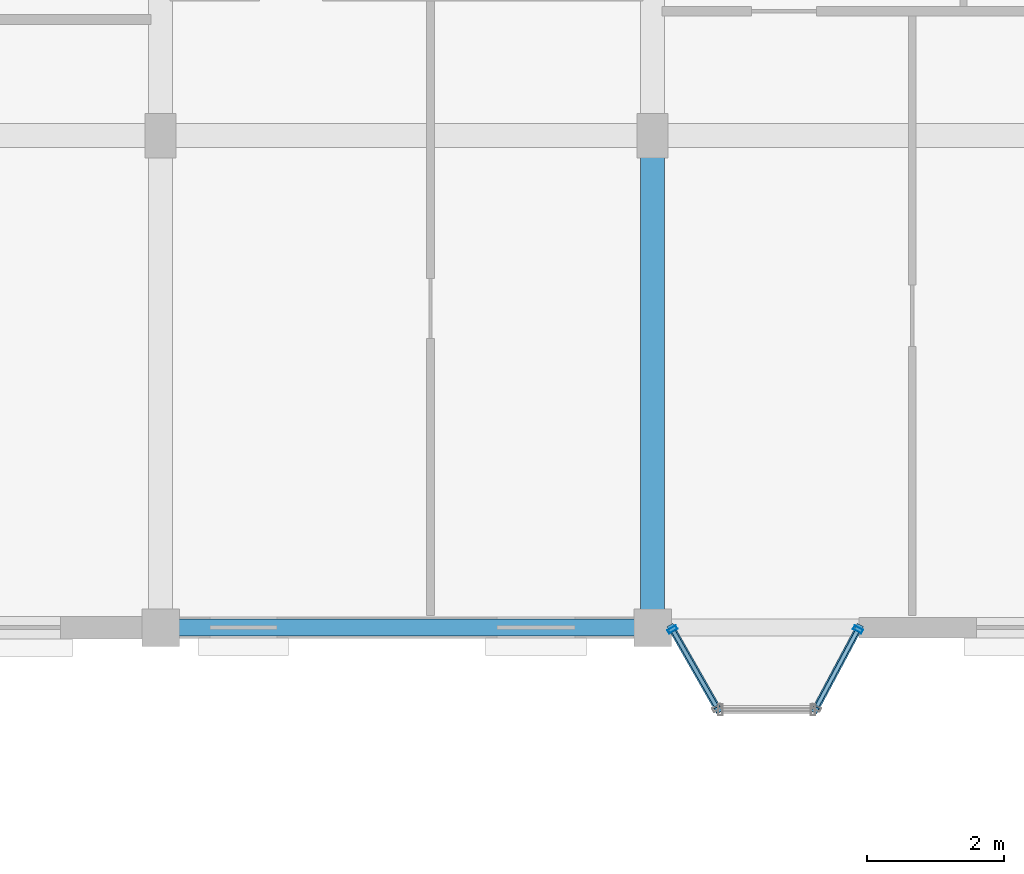
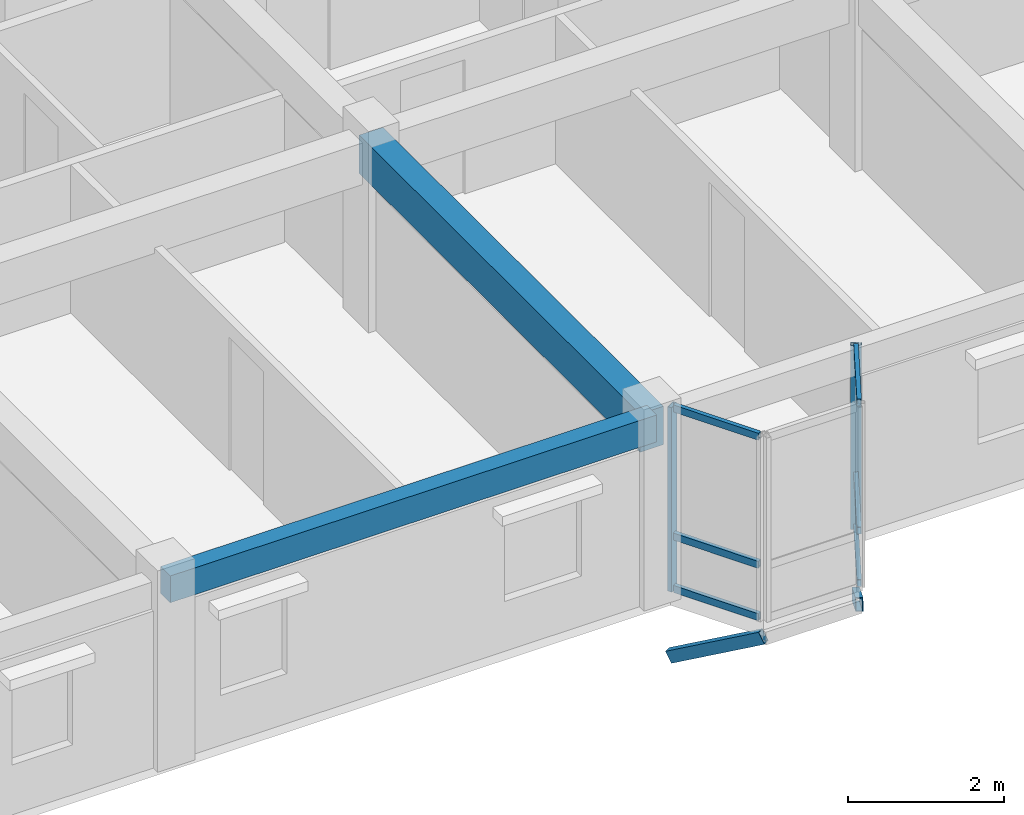
# One storey, part 40 of 79: 10 members, 2 beams, 2 elements without a shape of their own.
"""IFC4 building model written with IfcOpenShell, lengths in metres."""

from ifc_helpers import new_model, si_unit, direction, frame, origin, origin_2d, place, context, subcontext, project, spatial, rectangle, hollow_rectangle, extrude, material, layer, layer_set, material_profile, profile_set, type_object, element, aggregate, save


model = new_model("IFC4")

# Units and contexts
model_context = context("Model", 3, precision=1e-05, world=origin(), true_north=direction((0.0, 1.0)))
body_context = subcontext(model_context, "Body", "Model", "MODEL_VIEW")
ifc_project = project(units=[si_unit("LENGTHUNIT", "METRE"), si_unit("AREAUNIT", "SQUARE_METRE"), si_unit("VOLUMEUNIT", "CUBIC_METRE"), si_unit("PLANEANGLEUNIT", "RADIAN"), si_unit("MASSUNIT", "GRAM", prefix="KILO"), si_unit("THERMODYNAMICTEMPERATUREUNIT", "KELVIN"), si_unit("POWERUNIT", "WATT")], contexts=[model_context])

# Site, building, storey
site_placement = place(None, origin())
site = spatial("IfcSite", under=ifc_project, at=site_placement, CompositionType="ELEMENT")
building_placement = place(site_placement, origin())
building = spatial("IfcBuilding", under=site, at=building_placement, Name="Tavuni Mirador Residences", CompositionType="ELEMENT")
storey_placement = place(building_placement, frame((0.0, 0.0, 13.949951171875)))
storey = spatial("IfcBuildingStorey", under=building, at=storey_placement, Name="L04", CompositionType="ELEMENT", Elevation=13.949951171875)

# Beams
ifc_material_1 = material(Name="Precast concrete C40/50", Category="concrete")
ifc_material_profile_1 = material_profile(ifc_material_1, rectangle(XDim=0.35009765625, YDim=0.60009765625, at=origin_2d()), Name="PC 350x600", Category="concrete")
ifc_profile_set_1 = profile_set([ifc_material_profile_1], Name="Precast concrete C40/50")
beam_type_1 = type_object("IfcBeamType", Name="BT-B600", PredefinedType="BEAM", material=ifc_profile_set_1)
beam_1_placement = place(storey_placement, frame((46.800048828125, 144.0, 2.5849609375), z_axis=(0.0, 1.0, 0.0), x_axis=(-1.0, 0.0, 0.0)))
element("IfcBeam", 1, at=beam_1_placement, inside=storey, type_object=beam_type_1, Name="BMY-BLK-C-L04-05-00", PredefinedType="BEAM", context=body_context, shape_type="SweptSolid", body=[
    extrude(rectangle(XDim=0.35009765625, YDim=0.60009765625, at=origin_2d()), origin(), (0.0, 0.0, 1.0), 7.199951171875),
])
ifc_material_profile_2 = material_profile(ifc_material_1, rectangle(XDim=0.25, YDim=0.419921875, at=origin_2d()), Name="PC 250x420", Category="concrete")
ifc_profile_set_2 = profile_set([ifc_material_profile_2], Name="Precast concrete C40/50")
beam_type_2 = type_object("IfcBeamType", Name="BT-SP420", PredefinedType="SPANDREL", material=ifc_profile_set_2)
beam_2_placement = place(storey_placement, frame((39.60009765625, 144.0, 2.675048828125), z_axis=(1.0, 0.0, 0.0), x_axis=(0.0, 1.0, 0.0)))
element("IfcBeam", 2, at=beam_2_placement, inside=storey, type_object=beam_type_2, Name="BMX-BLK-C-L04-04-00", PredefinedType="SPANDREL", context=body_context, shape_type="SweptSolid", body=[
    extrude(rectangle(XDim=0.25, YDim=0.419921875, at=origin_2d()), origin(), (0.0, 0.0, 1.0), 7.199951171875),
])

# Curtain wall, member
ifc_material_2 = material(Name="Anodised aluminium", Category="aluminium")
ifc_layer_1 = layer(ifc_material_2, 0.1650390625, Name="Anodised aluminium", Category="aluminium")
ifc_layer_set_1 = layer_set([ifc_layer_1], Name="Anodised aluminium")
curtain_wall_type_1 = type_object("IfcCurtainWallType", Name="CWT-MIR-A", PredefinedType="NOTDEFINED", material=ifc_layer_set_1)
curtain_wall_1_placement = place(storey_placement, origin())
curtain_wall_1 = element("IfcCurtainWall", 3, at=curtain_wall_1_placement, inside=storey, type_object=curtain_wall_type_1, Name="CW-MIR-C-S3-L04-M1", PredefinedType="NOTDEFINED")
ifc_material_profile_3 = material_profile(ifc_material_2, hollow_rectangle(XDim=0.06005859375, YDim=0.139892578125, WallThickness=0.00390625, at=origin_2d()), Name="ALU 60x140x4.0", Category="aluminium")
ifc_profile_set_3 = profile_set([ifc_material_profile_3], Name="Anodised aluminium")
member_type_1 = type_object("IfcMemberType", Name="CWM-140", PredefinedType="MULLION", material=ifc_profile_set_3)
member_1_placement = place(storey_placement, frame((47.08984375, 143.973876953125, 0.0), z_axis=(0.0, 0.0, 1.0), x_axis=(0.495749192217, -0.868465738194, 0.0)))
member_1 = element("IfcMember", 4, at=member_1_placement, type_object=member_type_1, Name="CW-01 mullion 1", PredefinedType="MULLION", context=body_context, shape_type="SweptSolid", body=[
    extrude(hollow_rectangle(XDim=0.06005859375, YDim=0.139892578125, WallThickness=0.00390625, at=origin_2d()), origin(), (0.0, 0.0, 1.0), 2.885009765625),
])

ifc_layer_2 = layer(ifc_material_2, 0.175048828125, Name="Anodised aluminium", Category="aluminium")
ifc_layer_set_2 = layer_set([ifc_layer_2], Name="Anodised aluminium")
curtain_wall_type_2 = type_object("IfcCurtainWallType", Name="CWT-MIR-C", PredefinedType="NOTDEFINED", material=ifc_layer_set_2)
curtain_wall_2_placement = place(storey_placement, origin())
curtain_wall_2 = element("IfcCurtainWall", 5, at=curtain_wall_2_placement, inside=storey, type_object=curtain_wall_type_2, Name="CW-MIR-C-S3-L04-M2", PredefinedType="NOTDEFINED")
member_2_placement = place(storey_placement, frame((49.805908203125, 143.9736328125, 0.0), z_axis=(0.0, 0.0, 1.0), x_axis=(0.470588235296, 0.882352941175, 0.0)))
member_2 = element("IfcMember", 6, at=member_2_placement, type_object=member_type_1, Name="CW-03 mullion 2", PredefinedType="MULLION", context=body_context, shape_type="SweptSolid", body=[
    extrude(hollow_rectangle(XDim=0.06005859375, YDim=0.139892578125, WallThickness=0.00390625, at=origin_2d()), origin(), (0.0, 0.0, 1.0), 2.885009765625),
])

# Member
ifc_material_profile_4 = material_profile(ifc_material_2, hollow_rectangle(XDim=0.06005859375, YDim=0.110107421875, WallThickness=0.00390625, at=origin_2d()), Name="ALU 60x110x4.0", Category="aluminium")
ifc_profile_set_4 = profile_set([ifc_material_profile_4], Name="Anodised aluminium")
member_type_2 = type_object("IfcMemberType", Name="CWT-110", PredefinedType="USERDEFINED", material=ifc_profile_set_4)
member_3_placement = place(storey_placement, frame((47.104736328125, 143.947998046875, 0.030029296875), z_axis=(0.49568048457, -0.868504955205, 0.0), x_axis=(0.868504955205, 0.49568048457, 0.0)))
member_3 = element("IfcMember", 7, at=member_3_placement, type_object=member_type_2, Name="CW-01 transom 1.1", ObjectType="TRANSOM", PredefinedType="USERDEFINED", context=body_context, shape_type="SweptSolid", body=[
    extrude(hollow_rectangle(XDim=0.06005859375, YDim=0.110107421875, WallThickness=0.00390625, at=origin_2d()), origin(), (0.0, 0.0, 1.0), 1.261962890625),
])

member_4_placement = place(storey_placement, frame((47.104736328125, 143.947998046875, 0.85009765625), z_axis=(0.49568048457, -0.868504955205, 0.0), x_axis=(0.868504955205, 0.49568048457, 0.0)))
member_4 = element("IfcMember", 8, at=member_4_placement, type_object=member_type_2, Name="CW-01 transom 1.2", ObjectType="TRANSOM", PredefinedType="USERDEFINED", context=body_context, shape_type="SweptSolid", body=[
    extrude(hollow_rectangle(XDim=0.06005859375, YDim=0.110107421875, WallThickness=0.00390625, at=origin_2d()), origin(), (0.0, 0.0, 1.0), 1.261962890625),
])

member_5_placement = place(storey_placement, frame((47.104736328125, 143.947998046875, 2.85498046875), z_axis=(0.49568048457, -0.868504955205, 0.0), x_axis=(0.868504955205, 0.49568048457, 0.0)))
member_5 = element("IfcMember", 9, at=member_5_placement, type_object=member_type_2, Name="CW-01 transom 1.3", ObjectType="TRANSOM", PredefinedType="USERDEFINED", context=body_context, shape_type="SweptSolid", body=[
    extrude(hollow_rectangle(XDim=0.06005859375, YDim=0.110107421875, WallThickness=0.00390625, at=origin_2d()), origin(), (0.0, 0.0, 1.0), 1.261962890625),
])

aggregate(curtain_wall_1, [member_1, member_3, member_4, member_5])

member_6_placement = place(storey_placement, frame((49.208251953125, 142.85302734375, 0.030029296875), z_axis=(0.470608675382, 0.882342039492, 0.0), x_axis=(-0.882342039492, 0.470608675382, 0.0)))
member_6 = element("IfcMember", 10, at=member_6_placement, type_object=member_type_2, Name="CW-03 transom 1.1", ObjectType="TRANSOM", PredefinedType="USERDEFINED", context=body_context, shape_type="SweptSolid", body=[
    extrude(hollow_rectangle(XDim=0.06005859375, YDim=0.110107421875, WallThickness=0.00390625, at=origin_2d()), origin(), (0.0, 0.0, 1.0), 1.239990234375),
])

member_7_placement = place(storey_placement, frame((49.208251953125, 142.85302734375, 0.85009765625), z_axis=(0.470608675382, 0.882342039492, 0.0), x_axis=(-0.882342039492, 0.470608675382, 0.0)))
member_7 = element("IfcMember", 11, at=member_7_placement, type_object=member_type_2, Name="CW-03 transom 1.2", ObjectType="TRANSOM", PredefinedType="USERDEFINED", context=body_context, shape_type="SweptSolid", body=[
    extrude(hollow_rectangle(XDim=0.06005859375, YDim=0.110107421875, WallThickness=0.00390625, at=origin_2d()), origin(), (0.0, 0.0, 1.0), 1.239990234375),
])

member_8_placement = place(storey_placement, frame((49.208251953125, 142.85302734375, 2.85498046875), z_axis=(0.470608675382, 0.882342039492, 0.0), x_axis=(-0.882342039492, 0.470608675382, 0.0)))
member_8 = element("IfcMember", 12, at=member_8_placement, type_object=member_type_2, Name="CW-03 transom 1.3", ObjectType="TRANSOM", PredefinedType="USERDEFINED", context=body_context, shape_type="SweptSolid", body=[
    extrude(hollow_rectangle(XDim=0.06005859375, YDim=0.110107421875, WallThickness=0.00390625, at=origin_2d()), origin(), (0.0, 0.0, 1.0), 1.239990234375),
])

aggregate(curtain_wall_2, [member_2, member_6, member_7, member_8])

# Members
ifc_material_3 = material(Name="Structural steel S355", Category="steel")
ifc_material_profile_5 = material_profile(ifc_material_3, hollow_rectangle(XDim=0.10009765625, YDim=0.179931640625, WallThickness=0.008056640625, at=origin_2d()), Name="RHS 180x100x8.0", Category="steel")
ifc_profile_set_5 = profile_set([ifc_material_profile_5], Name="Structural steel S355")
member_type_3 = type_object("IfcMemberType", Name="MT-BR-RHS180", PredefinedType="BRACE", material=ifc_profile_set_5)
member_9_placement = place(storey_placement, frame((47.074951171875, 144.0, -1.050048828125), z_axis=(0.431062666154, -0.755050963701, 0.494047588863), x_axis=(0.868438794398, 0.495796390047, 0.0)))
element("IfcMember", 13, at=member_9_placement, inside=storey, type_object=member_type_3, Name="MBRK-MIR-C-S3-L04-1", PredefinedType="BRACE", context=body_context, shape_type="SweptSolid", body=[
    extrude(hollow_rectangle(XDim=0.10009765625, YDim=0.179931640625, WallThickness=0.008056640625, at=origin_2d()), origin(), (0.0, 0.0, 1.0), 1.589111328125),
])
member_10_placement = place(storey_placement, frame((49.820068359375, 144.0, -1.050048828125), z_axis=(-0.4076288534, -0.764109769055, 0.499974978084), x_axis=(0.882303244255, -0.470681405175, 0.0)))
element("IfcMember", 14, at=member_10_placement, inside=storey, type_object=member_type_3, Name="MBRK-MIR-C-S3-L04-2", PredefinedType="BRACE", context=body_context, shape_type="SweptSolid", body=[
    extrude(hollow_rectangle(XDim=0.10009765625, YDim=0.179931640625, WallThickness=0.008056640625, at=origin_2d()), origin(), (0.0, 0.0, 1.0), 1.5703125),
])

save(model, "model.ifc")
